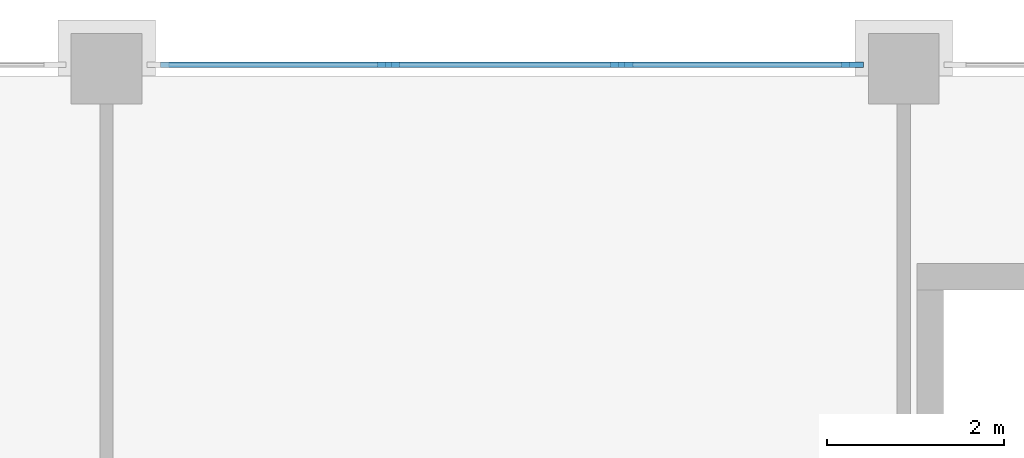
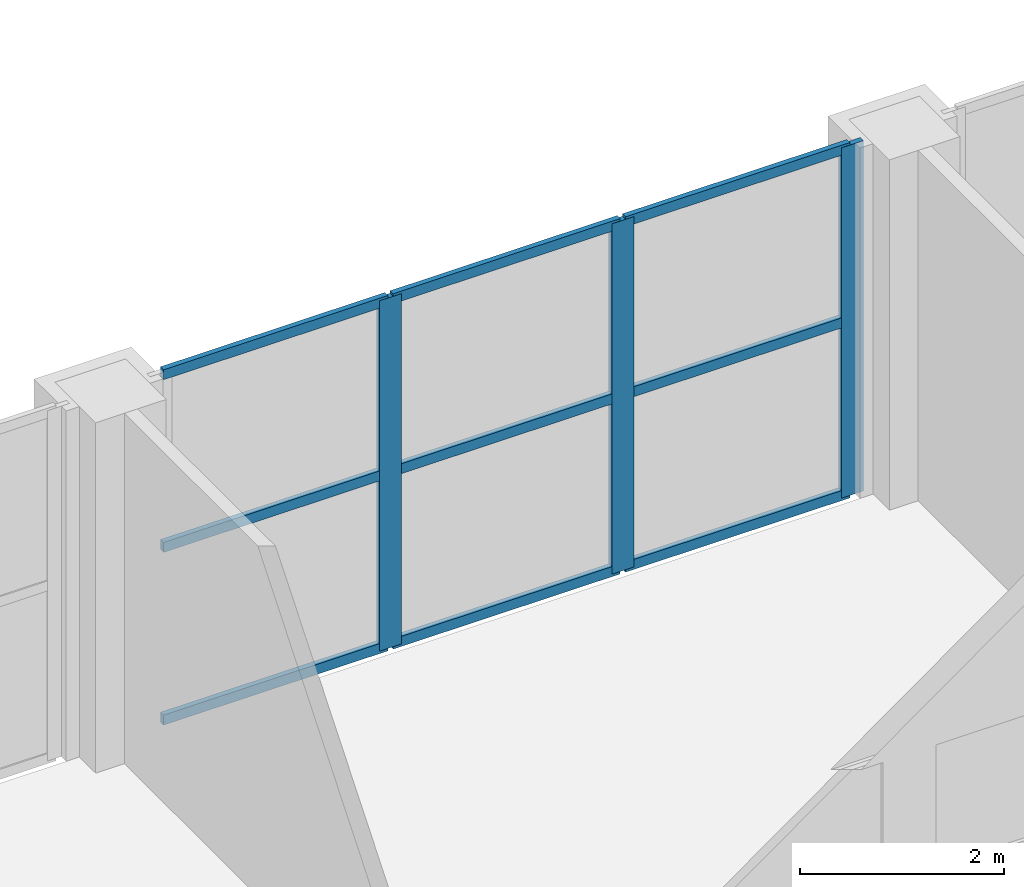
# One storey, part 6 of 39: 12 members, 1 element without a shape of its own.
"""IFC4 building model written with IfcOpenShell, lengths in metres."""

from ifc_helpers import new_model, si_unit, direction, frame, origin, origin_2d, place, context, subcontext, project, spatial, rectangle, extrude, material, material_profile, profile_set, type_object, element, aggregate, save


model = new_model("IFC4")

# Units and contexts
model_context = context("Model", 3, precision=1e-05, world=origin(), true_north=direction((0.0, 1.0)))
body_context = subcontext(model_context, "Body", "Model", "MODEL_VIEW")
ifc_project = project(units=[si_unit("LENGTHUNIT", "METRE"), si_unit("AREAUNIT", "SQUARE_METRE"), si_unit("VOLUMEUNIT", "CUBIC_METRE"), si_unit("PLANEANGLEUNIT", "RADIAN"), si_unit("MASSUNIT", "GRAM", prefix="KILO")], contexts=[model_context])

# Site, building, storey
site_placement = place(None, origin())
site = spatial("IfcSite", under=ifc_project, at=site_placement, CompositionType="ELEMENT")
building_placement = place(site_placement, origin())
building = spatial("IfcBuilding", under=site, at=building_placement, Name="Aravalli Gate Trade Fair Centre", CompositionType="ELEMENT")
storey_placement = place(building_placement, frame((0.0, 0.0, 15.0)))
storey = spatial("IfcBuildingStorey", under=building, at=storey_placement, Name="L03", CompositionType="ELEMENT", Elevation=15.0)

# Curtain wall, members
ifc_material_1 = material(Name="Aluminium and glass", Category="aluminium")
curtain_wall_type = type_object("IfcCurtainWallType", Name="Curtain wall 3000 module, tall", PredefinedType="NOTDEFINED", material=ifc_material_1)
curtain_wall_placement = place(storey_placement, origin())
curtain_wall = element("IfcCurtainWall", 1, at=curtain_wall_placement, inside=storey, type_object=curtain_wall_type, Name="Curtain wall north bay 14 L03", PredefinedType="NOTDEFINED")
ifc_material_2 = material(Name="Aluminium", Category="aluminium")
ifc_material_profile_1 = material_profile(ifc_material_2, rectangle(XDim=0.06005859375, YDim=0.25, at=origin_2d()), Name="Concourse curtain wall mullion 60 x 250")
ifc_profile_set_1 = profile_set([ifc_material_profile_1], Name="Aluminium")
member_type_1 = type_object("IfcMemberType", Name="Concourse curtain wall mullion 60 x 250", PredefinedType="MULLION", material=ifc_profile_set_1)
member_1_placement = place(storey_placement, frame((117.183349609375, 133.044921875, 0.0), z_axis=(0.0, 0.0, 1.0), x_axis=(0.0, 1.0, 0.0)))
member_1 = element("IfcMember", 2, at=member_1_placement, type_object=member_type_1, Name="CW3 mullion 2", PredefinedType="MULLION", context=body_context, shape_type="SweptSolid", body=[
    extrude(rectangle(XDim=0.06005859375, YDim=0.25, at=origin_2d()), origin(), (0.0, 0.0, 1.0), 4.199951171875),
])
member_2_placement = place(storey_placement, frame((119.816650390625, 133.044921875, 0.0), z_axis=(0.0, 0.0, 1.0), x_axis=(0.0, 1.0, 0.0)))
member_2 = element("IfcMember", 3, at=member_2_placement, type_object=member_type_1, Name="CW3 mullion 3", PredefinedType="MULLION", context=body_context, shape_type="SweptSolid", body=[
    extrude(rectangle(XDim=0.06005859375, YDim=0.25, at=origin_2d()), origin(), (0.0, 0.0, 1.0), 4.199951171875),
])
member_3_placement = place(storey_placement, frame((122.419921875, 133.044921875, 0.0), z_axis=(0.0, 0.0, 1.0), x_axis=(0.0, 1.0, 0.0)))
member_3 = element("IfcMember", 4, at=member_3_placement, type_object=member_type_1, Name="CW3 mullion 4", PredefinedType="MULLION", context=body_context, shape_type="SweptSolid", body=[
    extrude(rectangle(XDim=0.06005859375, YDim=0.25, at=origin_2d()), origin(), (0.0, 0.0, 1.0), 4.199951171875),
])
ifc_material_profile_2 = material_profile(ifc_material_2, rectangle(XDim=0.06005859375, YDim=0.1201171875, at=origin_2d()), Name="Concourse curtain wall transom 60 x 120")
ifc_profile_set_2 = profile_set([ifc_material_profile_2], Name="Aluminium")
member_type_2 = type_object("IfcMemberType", Name="Concourse curtain wall transom 60 x 120", PredefinedType="USERDEFINED", material=ifc_profile_set_2)
member_4_placement = place(storey_placement, frame((114.610107421875, 133.044921875, 0.030029296875), z_axis=(1.0, 0.0, 0.0), x_axis=(0.0, 1.0, 0.0)))
member_4 = element("IfcMember", 5, at=member_4_placement, type_object=member_type_2, Name="CW3 transom 1.1", ObjectType="TRANSOM", PredefinedType="USERDEFINED", context=body_context, shape_type="SweptSolid", body=[
    extrude(rectangle(XDim=0.06005859375, YDim=0.1201171875, at=origin_2d()), origin(), (0.0, 0.0, 1.0), 2.543212890625),
])
member_5_placement = place(storey_placement, frame((114.610107421875, 133.044921875, 2.10009765625), z_axis=(1.0, 0.0, 0.0), x_axis=(0.0, 1.0, 0.0)))
member_5 = element("IfcMember", 6, at=member_5_placement, type_object=member_type_2, Name="CW3 transom 1.2", ObjectType="TRANSOM", PredefinedType="USERDEFINED", context=body_context, shape_type="SweptSolid", body=[
    extrude(rectangle(XDim=0.06005859375, YDim=0.1201171875, at=origin_2d()), origin(), (0.0, 0.0, 1.0), 2.543212890625),
])
member_6_placement = place(storey_placement, frame((114.610107421875, 133.044921875, 4.169921875), z_axis=(1.0, 0.0, 0.0), x_axis=(0.0, 1.0, 0.0)))
member_6 = element("IfcMember", 7, at=member_6_placement, type_object=member_type_2, Name="CW3 transom 1.3", ObjectType="TRANSOM", PredefinedType="USERDEFINED", context=body_context, shape_type="SweptSolid", body=[
    extrude(rectangle(XDim=0.06005859375, YDim=0.1201171875, at=origin_2d()), origin(), (0.0, 0.0, 1.0), 2.543212890625),
])
member_7_placement = place(storey_placement, frame((117.21337890625, 133.044921875, 0.030029296875), z_axis=(1.0, 0.0, 0.0), x_axis=(0.0, 1.0, 0.0)))
member_7 = element("IfcMember", 8, at=member_7_placement, type_object=member_type_2, Name="CW3 transom 2.1", ObjectType="TRANSOM", PredefinedType="USERDEFINED", context=body_context, shape_type="SweptSolid", body=[
    extrude(rectangle(XDim=0.06005859375, YDim=0.1201171875, at=origin_2d()), origin(), (0.0, 0.0, 1.0), 2.5732421875),
])
member_8_placement = place(storey_placement, frame((117.21337890625, 133.044921875, 2.10009765625), z_axis=(1.0, 0.0, 0.0), x_axis=(0.0, 1.0, 0.0)))
member_8 = element("IfcMember", 9, at=member_8_placement, type_object=member_type_2, Name="CW3 transom 2.2", ObjectType="TRANSOM", PredefinedType="USERDEFINED", context=body_context, shape_type="SweptSolid", body=[
    extrude(rectangle(XDim=0.06005859375, YDim=0.1201171875, at=origin_2d()), origin(), (0.0, 0.0, 1.0), 2.5732421875),
])
member_9_placement = place(storey_placement, frame((117.21337890625, 133.044921875, 4.169921875), z_axis=(1.0, 0.0, 0.0), x_axis=(0.0, 1.0, 0.0)))
member_9 = element("IfcMember", 10, at=member_9_placement, type_object=member_type_2, Name="CW3 transom 2.3", ObjectType="TRANSOM", PredefinedType="USERDEFINED", context=body_context, shape_type="SweptSolid", body=[
    extrude(rectangle(XDim=0.06005859375, YDim=0.1201171875, at=origin_2d()), origin(), (0.0, 0.0, 1.0), 2.5732421875),
])
member_10_placement = place(storey_placement, frame((119.8466796875, 133.044921875, 0.030029296875), z_axis=(1.0, 0.0, 0.0), x_axis=(0.0, 1.0, 0.0)))
member_10 = element("IfcMember", 11, at=member_10_placement, type_object=member_type_2, Name="CW3 transom 3.1", ObjectType="TRANSOM", PredefinedType="USERDEFINED", context=body_context, shape_type="SweptSolid", body=[
    extrude(rectangle(XDim=0.06005859375, YDim=0.1201171875, at=origin_2d()), origin(), (0.0, 0.0, 1.0), 2.543212890625),
])
member_11_placement = place(storey_placement, frame((119.8466796875, 133.044921875, 2.10009765625), z_axis=(1.0, 0.0, 0.0), x_axis=(0.0, 1.0, 0.0)))
member_11 = element("IfcMember", 12, at=member_11_placement, type_object=member_type_2, Name="CW3 transom 3.2", ObjectType="TRANSOM", PredefinedType="USERDEFINED", context=body_context, shape_type="SweptSolid", body=[
    extrude(rectangle(XDim=0.06005859375, YDim=0.1201171875, at=origin_2d()), origin(), (0.0, 0.0, 1.0), 2.543212890625),
])
member_12_placement = place(storey_placement, frame((119.8466796875, 133.044921875, 4.169921875), z_axis=(1.0, 0.0, 0.0), x_axis=(0.0, 1.0, 0.0)))
member_12 = element("IfcMember", 13, at=member_12_placement, type_object=member_type_2, Name="CW3 transom 3.3", ObjectType="TRANSOM", PredefinedType="USERDEFINED", context=body_context, shape_type="SweptSolid", body=[
    extrude(rectangle(XDim=0.06005859375, YDim=0.1201171875, at=origin_2d()), origin(), (0.0, 0.0, 1.0), 2.543212890625),
])
aggregate(curtain_wall, [member_1, member_2, member_3, member_4, member_5, member_6, member_7, member_8, member_9, member_10, member_11, member_12])

save(model, "model.ifc")
